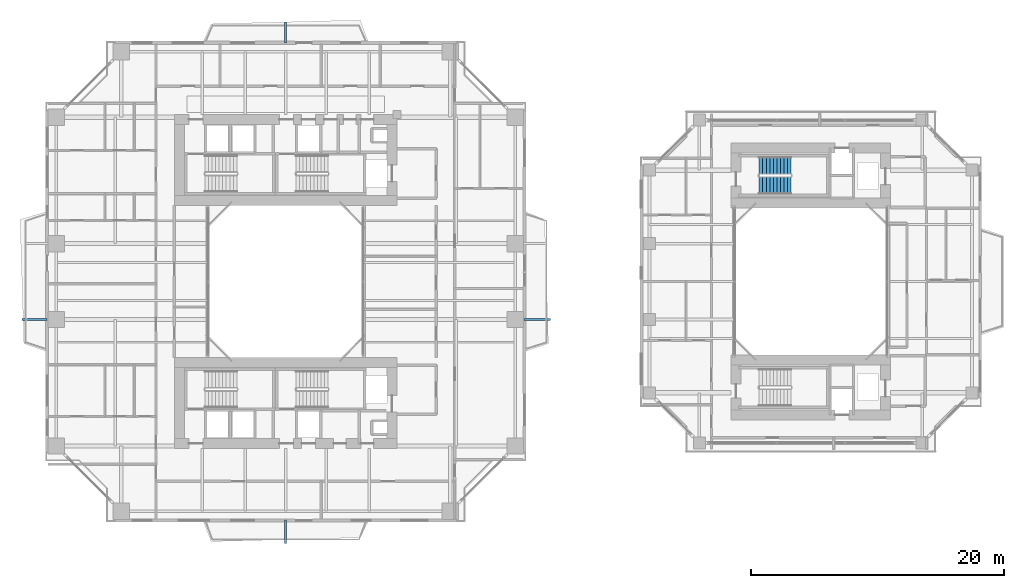
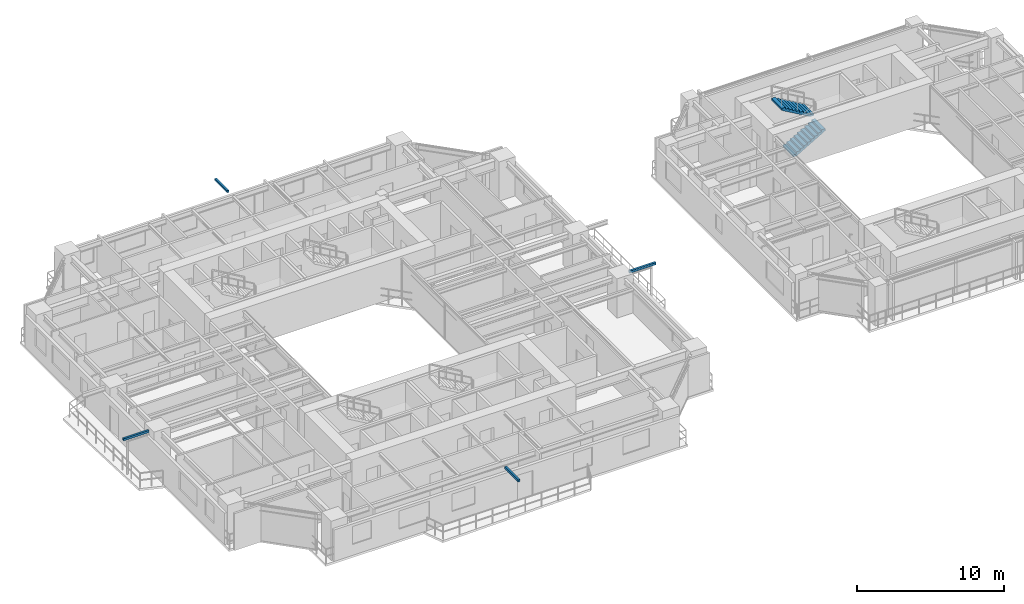
# One storey, part 19 of 23: 4 discrete accessories, 2 stair flights, 1 element without a shape of its own.
"""IFC4 building model written with IfcOpenShell, lengths in metres."""

from ifc_helpers import new_model, si_unit, direction, frame, origin, origin_2d, place, context, subcontext, project, spatial, polyline, rectangle, outline, extrude, source, transform, mapped, material, type_object, element, aggregate, save


model = new_model("IFC4")

# Units and contexts
model_context = context("Model", 3, precision=1e-05, world=origin(), true_north=direction((0.0, 1.0)))
body_context = subcontext(model_context, "Body", "Model", "MODEL_VIEW")
ifc_project = project(units=[si_unit("LENGTHUNIT", "METRE"), si_unit("AREAUNIT", "SQUARE_METRE"), si_unit("VOLUMEUNIT", "CUBIC_METRE"), si_unit("PLANEANGLEUNIT", "RADIAN"), si_unit("MASSUNIT", "GRAM", prefix="KILO"), si_unit("THERMODYNAMICTEMPERATUREUNIT", "KELVIN"), si_unit("POWERUNIT", "WATT")], contexts=[model_context])

# Site, building, storey
site_placement = place(None, origin())
site = spatial("IfcSite", under=ifc_project, at=site_placement, CompositionType="ELEMENT")
building_placement = place(site_placement, origin())
building = spatial("IfcBuilding", under=site, at=building_placement, Name="Qiaomeng Ring Towers", CompositionType="ELEMENT")
storey_placement = place(building_placement, frame((0.0, 0.0, 60.0)))
storey = spatial("IfcBuildingStorey", under=building, at=storey_placement, Name="L16", CompositionType="ELEMENT", Elevation=60.0)

# Stair, stair flights
ifc_material_1 = material(Name="Precast concrete C40", Category="concrete")
stair_type = type_object("IfcStairType", Name="ARC-ST-325", PredefinedType="HALF_TURN_STAIR", material=ifc_material_1)
stair_placement = place(storey_placement, origin())
stair = element("IfcStair", 1, at=stair_placement, inside=storey, type_object=stair_type, Name="L16 Companion North Stair 5", PredefinedType="HALF_TURN_STAIR")
stair_flight_type = type_object("IfcStairFlightType", Name="ARC-ST-325-FL", PredefinedType="STRAIGHT", material=ifc_material_1)
shared_shape_1 = source(origin(), body_context, "Body", "SweptSolid", [
    extrude(outline(polyline([(0.0, 0.0), (0.0, 0.16259765625), (0.280029296875, 0.16259765625), (0.280029296875, 0.324951171875), (0.56005859375, 0.324951171875), (0.56005859375, 0.487548828125), (0.840087890625, 0.487548828125), (0.840087890625, 0.64990234375), (1.1201171875, 0.64990234375), (1.1201171875, 0.8125), (1.39990234375, 0.8125), (1.39990234375, 0.97509765625), (1.679931640625, 0.97509765625), (1.679931640625, 1.137451171875), (1.9599609375, 1.137451171875), (1.9599609375, 1.300048828125), (2.239990234375, 1.300048828125), (2.239990234375, 1.46240234375), (2.52001953125, 1.46240234375), (2.52001953125, 1.625), (2.52001953125, 1.2890625), (0.298583984375, 0.0), (0.0, 0.0)])), frame((0.0, 0.699951171875, 0.0), z_axis=(0.0, -1.0, 0.0), x_axis=(1.0, 0.0, 0.0)), (0.0, 0.0, 1.0), 1.39990234375),
])
stair_flight_1_placement = place(storey_placement, frame((56.419921875, 30.60009765625, 0.0), z_axis=(0.0, 0.0, 1.0), x_axis=(1.0, 0.0, 0.0)))
stair_flight_1 = element("IfcStairFlight", 2, at=stair_flight_1_placement, type_object=stair_flight_type, Name="ST5 flight 1", NumberOfRisers=10, NumberOfTreads=9, PredefinedType="STRAIGHT", RiserHeight=0.1625, TreadLength=0.28, context=body_context, shape_type="MappedRepresentation", body=[
    mapped(shared_shape_1, transform((0.0, 0.0, 0.0), x_axis=(1.0, 0.0, 0.0), y_axis=(0.0, 1.0, 0.0), z_axis=(0.0, 0.0, 1.0), scale=1.0)),
])
stair_flight_2_placement = place(storey_placement, frame((58.93994140625, 32.139892578125, 1.625), z_axis=(0.0, 0.0, 1.0), x_axis=(-1.0, 0.0, 0.0)))
stair_flight_2 = element("IfcStairFlight", 3, at=stair_flight_2_placement, type_object=stair_flight_type, Name="ST5 flight 2", NumberOfRisers=10, NumberOfTreads=9, PredefinedType="STRAIGHT", RiserHeight=0.1625, TreadLength=0.28, context=body_context, shape_type="MappedRepresentation", body=[
    mapped(shared_shape_1, transform((0.0, 0.0, 0.0), x_axis=(1.0, 0.0, 0.0), y_axis=(0.0, 1.0, 0.0), z_axis=(0.0, 0.0, 1.0), scale=1.0)),
])
aggregate(stair, [stair_flight_1, stair_flight_2])

# Discrete accessories
ifc_material_2 = material(Name="Stainless steel 316", Category="steel")
discrete_accessory_type = type_object("IfcDiscreteAccessoryType", Name="ARC-ACC-BRACKET", PredefinedType="BRACKET", material=ifc_material_2)
shared_shape_2 = source(origin(), body_context, "Body", "SweptSolid", [
    extrude(rectangle(XDim=0.159912109375, YDim=1.85009765625, at=origin_2d()), origin(), (0.0, 0.0, 1.0), 0.179931640625),
])
discrete_accessory_1_placement = place(storey_placement, frame((19.0, 3.22509765625, 2.89990234375), z_axis=(0.0, 0.0, 1.0), x_axis=(1.0, 0.0, 0.0)))
element("IfcDiscreteAccessory", 4, at=discrete_accessory_1_placement, inside=storey, type_object=discrete_accessory_type, Name="L16 Stainless Outer-Skin Tie Bracket S", PredefinedType="BRACKET", context=body_context, shape_type="MappedRepresentation", body=[
    mapped(shared_shape_2, transform((0.0, 0.0, 0.0), x_axis=(1.0, 0.0, 0.0), y_axis=(0.0, 1.0, 0.0), z_axis=(0.0, 0.0, 1.0), scale=1.0)),
])
shared_shape_3 = source(origin(), body_context, "Body", "SweptSolid", [
    extrude(rectangle(XDim=0.159912109375, YDim=1.669921875, at=origin_2d()), origin(), (0.0, 0.0, 1.0), 0.179931640625),
])
discrete_accessory_2_placement = place(storey_placement, frame((19.0, 42.68505859375, 2.89990234375), z_axis=(0.0, 0.0, 1.0), x_axis=(1.0, 0.0, 0.0)))
element("IfcDiscreteAccessory", 5, at=discrete_accessory_2_placement, inside=storey, type_object=discrete_accessory_type, Name="L16 Stainless Outer-Skin Tie Bracket N", PredefinedType="BRACKET", context=body_context, shape_type="MappedRepresentation", body=[
    mapped(shared_shape_3, transform((0.0, 0.0, 0.0), x_axis=(1.0, 0.0, 0.0), y_axis=(0.0, 1.0, 0.0), z_axis=(0.0, 0.0, 1.0), scale=1.0)),
])
shared_shape_4 = source(origin(), body_context, "Body", "SweptSolid", [
    extrude(rectangle(XDim=2.0, YDim=0.159912109375, at=origin_2d()), origin(), (0.0, 0.0, 1.0), 0.179931640625),
])
discrete_accessory_3_placement = place(storey_placement, frame((-0.85009765625, 20.0, 2.89990234375), z_axis=(0.0, 0.0, 1.0), x_axis=(1.0, 0.0, 0.0)))
element("IfcDiscreteAccessory", 6, at=discrete_accessory_3_placement, inside=storey, type_object=discrete_accessory_type, Name="L16 Stainless Outer-Skin Tie Bracket W", PredefinedType="BRACKET", context=body_context, shape_type="MappedRepresentation", body=[
    mapped(shared_shape_4, transform((0.0, 0.0, 0.0), x_axis=(1.0, 0.0, 0.0), y_axis=(0.0, 1.0, 0.0), z_axis=(0.0, 0.0, 1.0), scale=1.0)),
])
shared_shape_5 = source(origin(), body_context, "Body", "SweptSolid", [
    extrude(rectangle(XDim=2.070068359375, YDim=0.159912109375, at=origin_2d()), origin(), (0.0, 0.0, 1.0), 0.179931640625),
])
discrete_accessory_4_placement = place(storey_placement, frame((38.885009765625, 20.0, 2.89990234375), z_axis=(0.0, 0.0, 1.0), x_axis=(1.0, 0.0, 0.0)))
element("IfcDiscreteAccessory", 7, at=discrete_accessory_4_placement, inside=storey, type_object=discrete_accessory_type, Name="L16 Stainless Outer-Skin Tie Bracket E", PredefinedType="BRACKET", context=body_context, shape_type="MappedRepresentation", body=[
    mapped(shared_shape_5, transform((0.0, 0.0, 0.0), x_axis=(1.0, 0.0, 0.0), y_axis=(0.0, 1.0, 0.0), z_axis=(0.0, 0.0, 1.0), scale=1.0)),
])

save(model, "model.ifc")
